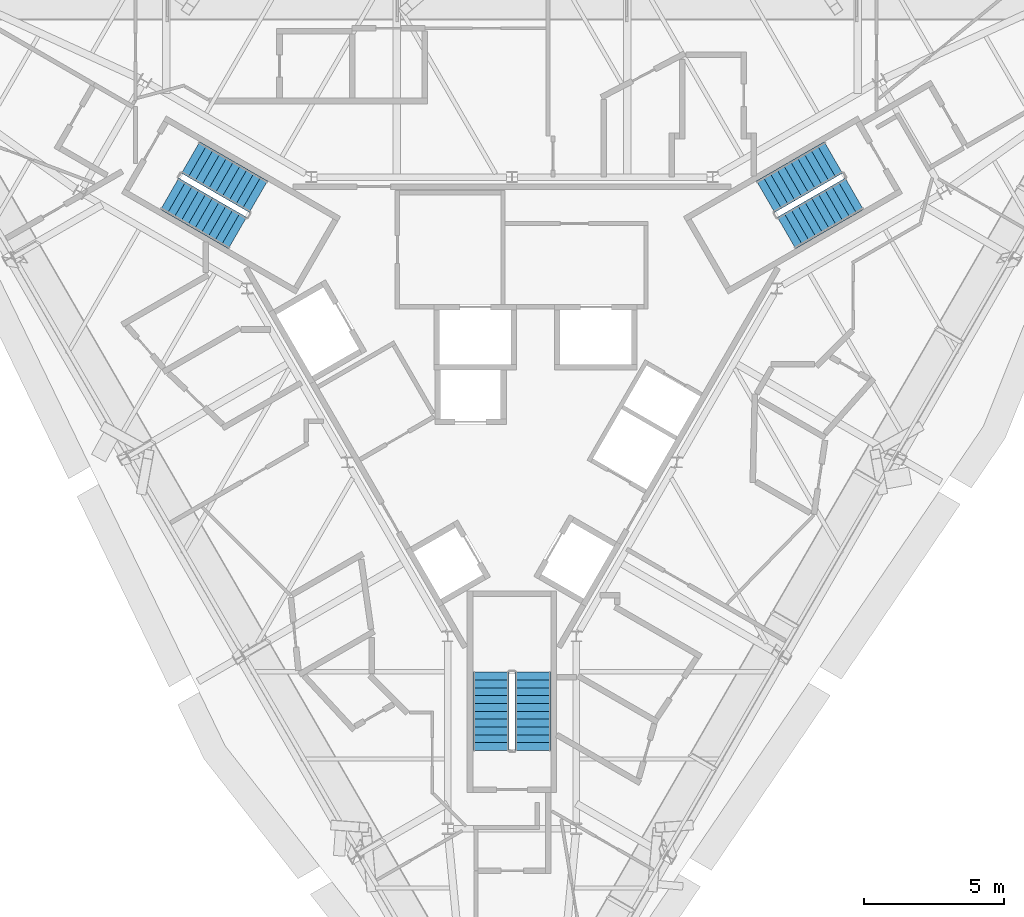
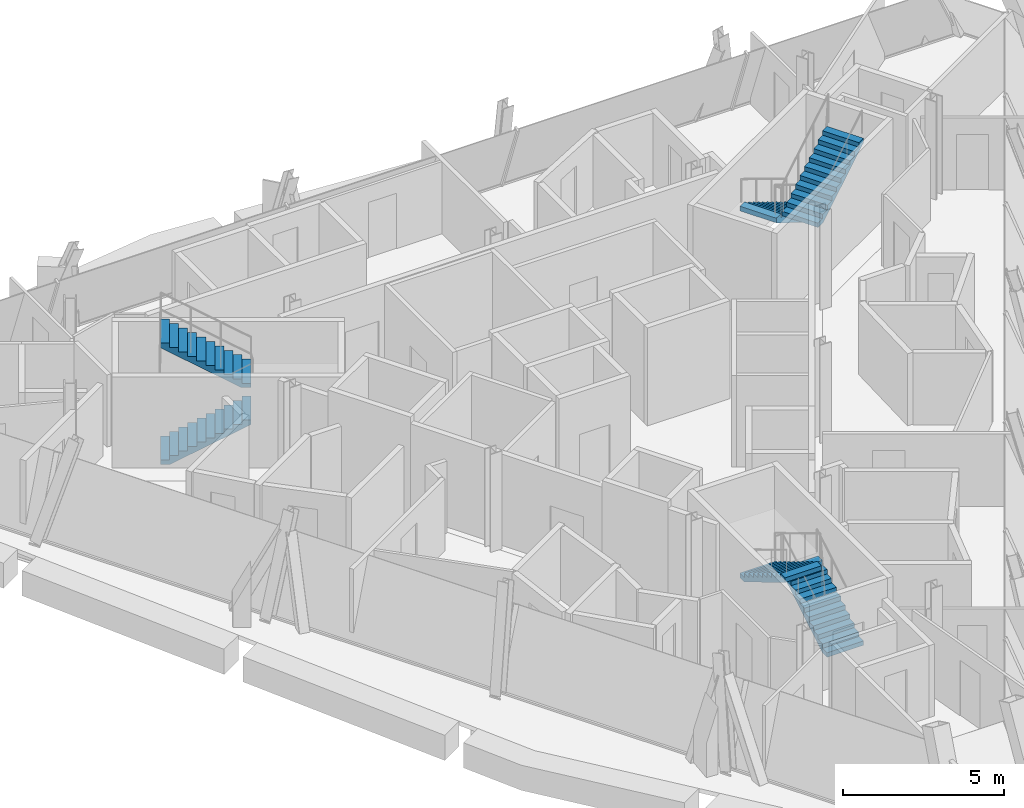
# One storey, part 11 of 13: 6 stair flights, 3 elements without a shape of their own.
"""IFC4 building model written with IfcOpenShell, lengths in metres."""

from ifc_helpers import new_model, si_unit, direction, frame, origin, place, context, subcontext, project, spatial, polyline, outline, extrude, material, type_object, element, aggregate, save


model = new_model("IFC4")

# Units and contexts
model_context = context("Model", 3, precision=1e-05, world=origin(), true_north=direction((0.0, 1.0)))
body_context = subcontext(model_context, "Body", "Model", "MODEL_VIEW")
ifc_project = project(units=[si_unit("LENGTHUNIT", "METRE"), si_unit("AREAUNIT", "SQUARE_METRE"), si_unit("VOLUMEUNIT", "CUBIC_METRE"), si_unit("PLANEANGLEUNIT", "RADIAN"), si_unit("MASSUNIT", "GRAM", prefix="KILO")], contexts=[model_context])

# Site, building, storey
site_placement = place(None, origin())
site = spatial("IfcSite", under=ifc_project, at=site_placement, CompositionType="ELEMENT")
building_placement = place(site_placement, origin())
building = spatial("IfcBuilding", under=site, at=building_placement, Name="Verrane Prism Tower", CompositionType="ELEMENT")
storey_placement = place(building_placement, frame((0.0, 0.0, 304.699951171875)))
storey = spatial("IfcBuildingStorey", under=building, at=storey_placement, Name="L77", CompositionType="ELEMENT", Elevation=304.699951171875)

# Stair, stair flights
ifc_material_1 = material(Name="Concrete C40/50", Category="concrete")
stair_type = type_object("IfcStairType", Name="Exit stair 1300 dog-leg precast concrete C40/50", PredefinedType="HALF_TURN_STAIR", material=ifc_material_1)
stair_1_placement = place(storey_placement, origin())
stair_1 = element("IfcStair", 1, at=stair_1_placement, inside=storey, type_object=stair_type, Name="Stair 1 L77", PredefinedType="HALF_TURN_STAIR")
ifc_material_2 = material(Name="Concrete C40/50", Category="concrete")
stair_flight_type = type_object("IfcStairFlightType", Name="Stair flight 1300 precast concrete C40/50", PredefinedType="STRAIGHT", material=ifc_material_2)
stair_flight_1_placement = place(storey_placement, frame((11.489501953125, 7.49951171875, 0.0), z_axis=(0.0, 0.0, 1.0), x_axis=(-0.866025403784, -0.5, 0.0)))
stair_flight_1 = element("IfcStairFlight", 2, at=stair_flight_1_placement, type_object=stair_flight_type, Name="Stair 1 flight 1", NumberOfRisers=11, NumberOfTreads=10, PredefinedType="STRAIGHT", RiserHeight=0.168181818, TreadLength=0.28, context=body_context, shape_type="SweptSolid", body=[
    extrude(outline(polyline([(0.0, 0.0), (0.0, 0.168212890625), (0.280029296875, 0.168212890625), (0.280029296875, 0.33642578125), (0.56005859375, 0.33642578125), (0.56005859375, 0.504638671875), (0.840087890625, 0.504638671875), (0.840087890625, 0.672607421875), (1.1201171875, 0.672607421875), (1.1201171875, 0.8408203125), (1.39990234375, 0.8408203125), (1.39990234375, 1.009033203125), (1.679931640625, 1.009033203125), (1.679931640625, 1.17724609375), (1.9599609375, 1.17724609375), (1.9599609375, 1.345458984375), (2.239990234375, 1.345458984375), (2.239990234375, 1.513671875), (2.52001953125, 1.513671875), (2.52001953125, 1.681884765625), (2.800048828125, 1.681884765625), (2.800048828125, 1.85009765625), (2.800048828125, 1.5068359375), (0.291015625, 0.0), (0.0, 0.0)])), frame((0.0, 0.64990234375, 0.0), z_axis=(0.0, -1.0, 0.0), x_axis=(1.0, 0.0, 0.0)), (0.0, 0.0, 1.0), 1.300048828125),
])
stair_flight_2_placement = place(storey_placement, frame((9.814697265625, 4.800537109375, 1.85009765625), z_axis=(0.0, 0.0, 1.0), x_axis=(0.866025403784, 0.5, 0.0)))
stair_flight_2 = element("IfcStairFlight", 3, at=stair_flight_2_placement, type_object=stair_flight_type, Name="Stair 1 flight 2", NumberOfRisers=11, NumberOfTreads=10, PredefinedType="STRAIGHT", RiserHeight=0.168181818, TreadLength=0.28, context=body_context, shape_type="SweptSolid", body=[
    extrude(outline(polyline([(0.0, 0.0), (0.0, 0.168212890625), (0.280029296875, 0.168212890625), (0.280029296875, 0.33642578125), (0.56005859375, 0.33642578125), (0.56005859375, 0.504638671875), (0.840087890625, 0.504638671875), (0.840087890625, 0.672607421875), (1.1201171875, 0.672607421875), (1.1201171875, 0.8408203125), (1.39990234375, 0.8408203125), (1.39990234375, 1.009033203125), (1.679931640625, 1.009033203125), (1.679931640625, 1.17724609375), (1.9599609375, 1.17724609375), (1.9599609375, 1.345458984375), (2.239990234375, 1.345458984375), (2.239990234375, 1.513671875), (2.52001953125, 1.513671875), (2.52001953125, 1.681884765625), (2.800048828125, 1.681884765625), (2.800048828125, 1.85009765625), (2.800048828125, 1.5068359375), (0.291015625, 0.0), (0.0, 0.0)])), frame((0.0, 0.64990234375, 0.0), z_axis=(0.0, -1.0, 0.0), x_axis=(1.0, 0.0, 0.0)), (0.0, 0.0, 1.0), 1.300048828125),
])
aggregate(stair_1, [stair_flight_1, stair_flight_2])

stair_2_placement = place(storey_placement, origin())
stair_2 = element("IfcStair", 4, at=stair_2_placement, inside=storey, type_object=stair_type, Name="Stair 2 L77", PredefinedType="HALF_TURN_STAIR")
stair_flight_3_placement = place(storey_placement, frame((-12.239501953125, 6.200439453125, 0.0), z_axis=(0.0, 0.0, 1.0), x_axis=(0.866025403784, -0.5, 0.0)))
stair_flight_3 = element("IfcStairFlight", 5, at=stair_flight_3_placement, type_object=stair_flight_type, Name="Stair 2 flight 1", NumberOfRisers=11, NumberOfTreads=10, PredefinedType="STRAIGHT", RiserHeight=0.168181818, TreadLength=0.28, context=body_context, shape_type="SweptSolid", body=[
    extrude(outline(polyline([(0.0, 0.0), (0.0, 0.168212890625), (0.280029296875, 0.168212890625), (0.280029296875, 0.33642578125), (0.56005859375, 0.33642578125), (0.56005859375, 0.504638671875), (0.840087890625, 0.504638671875), (0.840087890625, 0.672607421875), (1.1201171875, 0.672607421875), (1.1201171875, 0.8408203125), (1.39990234375, 0.8408203125), (1.39990234375, 1.009033203125), (1.679931640625, 1.009033203125), (1.679931640625, 1.17724609375), (1.9599609375, 1.17724609375), (1.9599609375, 1.345458984375), (2.239990234375, 1.345458984375), (2.239990234375, 1.513671875), (2.52001953125, 1.513671875), (2.52001953125, 1.681884765625), (2.800048828125, 1.681884765625), (2.800048828125, 1.85009765625), (2.800048828125, 1.5068359375), (0.291015625, 0.0), (0.0, 0.0)])), frame((0.0, 0.64990234375, 0.0), z_axis=(0.0, -1.0, 0.0), x_axis=(1.0, 0.0, 0.0)), (0.0, 0.0, 1.0), 1.300048828125),
])
stair_flight_4_placement = place(storey_placement, frame((-9.064697265625, 6.099609375, 1.85009765625), z_axis=(0.0, 0.0, 1.0), x_axis=(-0.866025403784, 0.5, 0.0)))
stair_flight_4 = element("IfcStairFlight", 6, at=stair_flight_4_placement, type_object=stair_flight_type, Name="Stair 2 flight 2", NumberOfRisers=11, NumberOfTreads=10, PredefinedType="STRAIGHT", RiserHeight=0.168181818, TreadLength=0.28, context=body_context, shape_type="SweptSolid", body=[
    extrude(outline(polyline([(0.0, 0.0), (0.0, 0.168212890625), (0.280029296875, 0.168212890625), (0.280029296875, 0.33642578125), (0.56005859375, 0.33642578125), (0.56005859375, 0.504638671875), (0.840087890625, 0.504638671875), (0.840087890625, 0.672607421875), (1.1201171875, 0.672607421875), (1.1201171875, 0.8408203125), (1.39990234375, 0.8408203125), (1.39990234375, 1.009033203125), (1.679931640625, 1.009033203125), (1.679931640625, 1.17724609375), (1.9599609375, 1.17724609375), (1.9599609375, 1.345458984375), (2.239990234375, 1.345458984375), (2.239990234375, 1.513671875), (2.52001953125, 1.513671875), (2.52001953125, 1.681884765625), (2.800048828125, 1.681884765625), (2.800048828125, 1.85009765625), (2.800048828125, 1.5068359375), (0.291015625, 0.0), (0.0, 0.0)])), frame((0.0, 0.64990234375, 0.0), z_axis=(0.0, -1.0, 0.0), x_axis=(1.0, 0.0, 0.0)), (0.0, 0.0, 1.0), 1.300048828125),
])
aggregate(stair_2, [stair_flight_3, stair_flight_4])

stair_3_placement = place(storey_placement, origin())
stair_3 = element("IfcStair", 7, at=stair_3_placement, inside=storey, type_object=stair_type, Name="Stair 3 L77", PredefinedType="HALF_TURN_STAIR")
stair_flight_5_placement = place(storey_placement, frame((0.75, -13.699951171875, 0.0), z_axis=(0.0, 0.0, 1.0), x_axis=(0.0, 1.0, 0.0)))
stair_flight_5 = element("IfcStairFlight", 8, at=stair_flight_5_placement, type_object=stair_flight_type, Name="Stair 3 flight 1", NumberOfRisers=11, NumberOfTreads=10, PredefinedType="STRAIGHT", RiserHeight=0.168181818, TreadLength=0.28, context=body_context, shape_type="SweptSolid", body=[
    extrude(outline(polyline([(0.0, 0.0), (0.0, 0.168212890625), (0.280029296875, 0.168212890625), (0.280029296875, 0.33642578125), (0.56005859375, 0.33642578125), (0.56005859375, 0.504638671875), (0.840087890625, 0.504638671875), (0.840087890625, 0.672607421875), (1.1201171875, 0.672607421875), (1.1201171875, 0.8408203125), (1.39990234375, 0.8408203125), (1.39990234375, 1.009033203125), (1.679931640625, 1.009033203125), (1.679931640625, 1.17724609375), (1.9599609375, 1.17724609375), (1.9599609375, 1.345458984375), (2.239990234375, 1.345458984375), (2.239990234375, 1.513671875), (2.52001953125, 1.513671875), (2.52001953125, 1.681884765625), (2.800048828125, 1.681884765625), (2.800048828125, 1.85009765625), (2.800048828125, 1.5068359375), (0.291015625, 0.0), (0.0, 0.0)])), frame((0.0, 0.64990234375, 0.0), z_axis=(0.0, -1.0, 0.0), x_axis=(1.0, 0.0, 0.0)), (0.0, 0.0, 1.0), 1.300048828125),
])
stair_flight_6_placement = place(storey_placement, frame((-0.75, -10.89990234375, 1.85009765625), z_axis=(0.0, 0.0, 1.0), x_axis=(0.0, -1.0, 0.0)))
stair_flight_6 = element("IfcStairFlight", 9, at=stair_flight_6_placement, type_object=stair_flight_type, Name="Stair 3 flight 2", NumberOfRisers=11, NumberOfTreads=10, PredefinedType="STRAIGHT", RiserHeight=0.168181818, TreadLength=0.28, context=body_context, shape_type="SweptSolid", body=[
    extrude(outline(polyline([(0.0, 0.0), (0.0, 0.168212890625), (0.280029296875, 0.168212890625), (0.280029296875, 0.33642578125), (0.56005859375, 0.33642578125), (0.56005859375, 0.504638671875), (0.840087890625, 0.504638671875), (0.840087890625, 0.672607421875), (1.1201171875, 0.672607421875), (1.1201171875, 0.8408203125), (1.39990234375, 0.8408203125), (1.39990234375, 1.009033203125), (1.679931640625, 1.009033203125), (1.679931640625, 1.17724609375), (1.9599609375, 1.17724609375), (1.9599609375, 1.345458984375), (2.239990234375, 1.345458984375), (2.239990234375, 1.513671875), (2.52001953125, 1.513671875), (2.52001953125, 1.681884765625), (2.800048828125, 1.681884765625), (2.800048828125, 1.85009765625), (2.800048828125, 1.5068359375), (0.291015625, 0.0), (0.0, 0.0)])), frame((0.0, 0.64990234375, 0.0), z_axis=(0.0, -1.0, 0.0), x_axis=(1.0, 0.0, 0.0)), (0.0, 0.0, 1.0), 1.300048828125),
])
aggregate(stair_3, [stair_flight_5, stair_flight_6])

save(model, "model.ifc")
